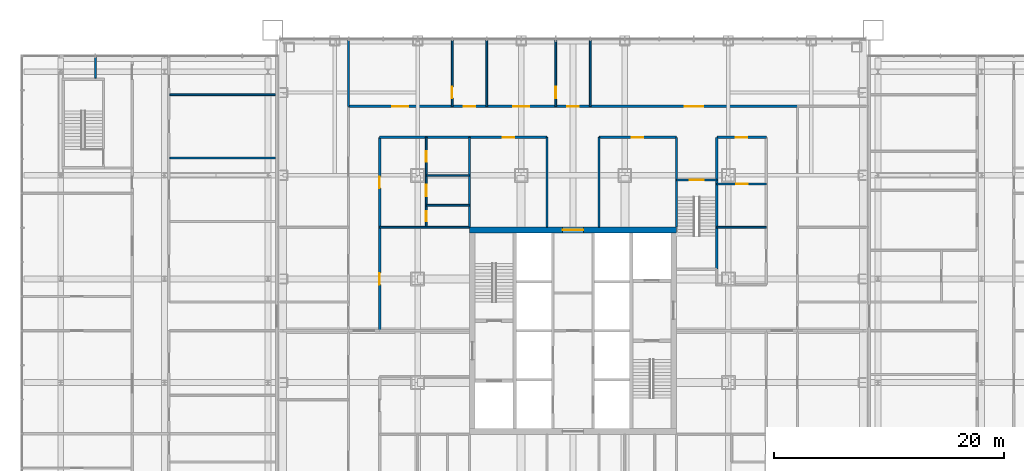
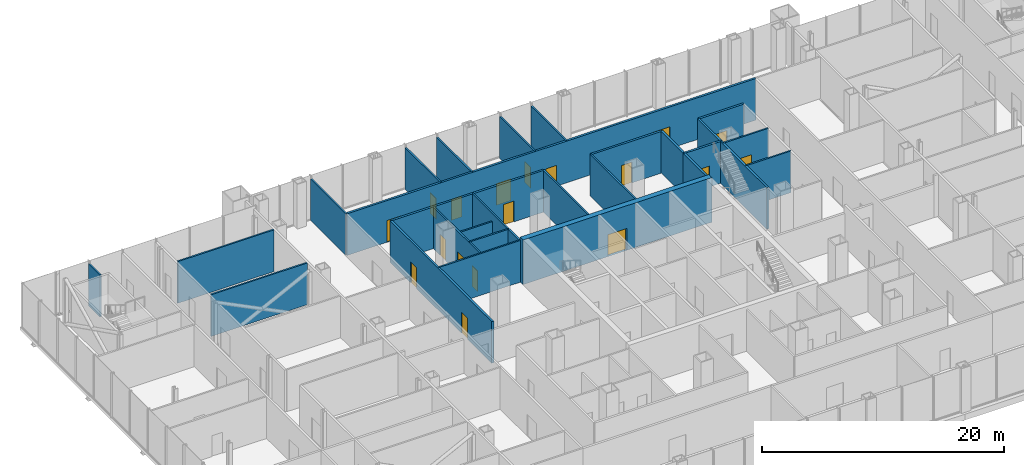
# One storey, part 18 of 25: 28 walls, 18 doors, 18 openings.
"""IFC4 building model written with IfcOpenShell, lengths in metres."""

import ifcopenshell
import ifcopenshell.guid

model = None  # the IFC model being written
_history = None  # IfcOwnerHistory: only IFC2X3 demands one
_inside = {}  # id of a spatial element -> (the spatial element, [elements in it])
_under = {}  # id of a project, library or spatial element -> (it, [spatial elements below it])
_declared = {}  # id of a project -> (the project, [libraries it declares])
_typed = {}  # id of a type object -> (the type object, [elements of that type])
_made_of = {}  # id of a material, layer set ... -> (it, [elements and type objects made of it])


def new_model(schema):
    """Start an empty IFC model of exactly this schema.

    Asked for "IFC4X3", IfcOpenShell would pick the latest addendum, in which some entities
    have other attributes; the version numbers below select the first issue.
    IFC2X3 requires an IfcOwnerHistory on every rooted entity: one is made here for all.
    """
    global model, _history
    if schema == "IFC4X3":
        model = ifcopenshell.file(schema_version=(4, 3, 0, 0))
    else:
        model = ifcopenshell.file(schema=schema)
    _inside.clear()
    _under.clear()
    _declared.clear()
    _typed.clear()
    _made_of.clear()
    _history = None
    if model.schema == "IFC2X3":
        org = make("IfcOrganization", Name="unknown")
        user = make(
            "IfcPersonAndOrganization",
            ThePerson=make("IfcPerson", FamilyName="unknown"),
            TheOrganization=org,
        )
        app = make(
            "IfcApplication",
            ApplicationDeveloper=org,
            Version="unknown",
            ApplicationFullName="unknown",
            ApplicationIdentifier="unknown",
        )
        _history = make(
            "IfcOwnerHistory",
            OwningUser=user,
            OwningApplication=app,
            ChangeAction="ADDED",
            CreationDate=0,
        )
    return model


def make(cls, **values):
    """One entity of the class cls with the attributes given. An attribute that is None is left unset."""
    return model.create_entity(
        cls, **{name: value for name, value in values.items() if value is not None}
    )


def rooted(cls, **values):
    """An entity with a GlobalId (a new one), such as an element, a storey or a relation."""
    return make(cls, GlobalId=ifcopenshell.guid.new(), OwnerHistory=_history, **values)


def si_unit(unit_type, name, prefix=None):
    """IfcSIUnit, for example si_unit("LENGTHUNIT", "METRE", prefix="MILLI")."""
    return make("IfcSIUnit", UnitType=unit_type, Prefix=prefix, Name=name)


def assignment(units):
    """IfcUnitAssignment: the units of a project."""
    return None if units is None else make("IfcUnitAssignment", Units=units)


def point(xyz):
    """IfcCartesianPoint."""
    return None if xyz is None else make("IfcCartesianPoint", Coordinates=xyz)


def direction(xyz):
    """IfcDirection."""
    return None if xyz is None else make("IfcDirection", DirectionRatios=xyz)


def frame(location, z_axis=None, x_axis=None):
    """IfcAxis2Placement3D, a coordinate frame: its origin and axes. An axis left out is left unset."""
    return make(
        "IfcAxis2Placement3D",
        Location=point(location),
        Axis=direction(z_axis),
        RefDirection=direction(x_axis),
    )


def frame_2d(location, x_axis=None):
    """IfcAxis2Placement2D, a coordinate frame in the plane: its origin and x axis."""
    return make(
        "IfcAxis2Placement2D", Location=point(location), RefDirection=direction(x_axis)
    )


def origin():
    """The frame at (0, 0, 0) with its axes left unset."""
    return frame((0.0, 0.0, 0.0))


def place(relative_to, where):
    """IfcLocalPlacement: puts the frame where relative to a parent placement (None: the world)."""
    return make(
        "IfcLocalPlacement", PlacementRelTo=relative_to, RelativePlacement=where
    )


def context(
    kind, dimensions, precision=None, world=None, true_north=None, identifier=None
):
    """IfcGeometricRepresentationContext, for example the 3D "Model" context."""
    return make(
        "IfcGeometricRepresentationContext",
        ContextIdentifier=identifier,
        ContextType=kind,
        CoordinateSpaceDimension=dimensions,
        Precision=precision,
        WorldCoordinateSystem=world,
        TrueNorth=true_north,
    )


def subcontext(parent, identifier, kind, view, scale=None):
    """IfcGeometricRepresentationSubContext, for example "Body" below "Model"."""
    return make(
        "IfcGeometricRepresentationSubContext",
        ContextIdentifier=identifier,
        ContextType=kind,
        ParentContext=parent,
        TargetScale=scale,
        TargetView=view,
    )


def project(units=None, contexts=None):
    """IfcProject with its units and contexts."""
    return rooted(
        "IfcProject",
        Name="project",
        RepresentationContexts=contexts,
        UnitsInContext=assignment(units),
    )


def spatial(cls, under=None, at=None, **own):
    """A site, building, storey or space (cls), placed at a placement, below another one or the project."""
    s = rooted(cls, ObjectPlacement=at, **own)
    if under is not None:
        _under.setdefault(under.id(), (under, []))[1].append(s)
    return s


def profile(cls, at=None, kind="AREA", **sizes):
    """A parametric profile (cls). Its sizes go by their IFC names, for example OverallWidth=200.0."""
    return make(cls, ProfileType=kind, Position=at, **sizes)


def rectangle(**sizes):
    """IfcRectangleProfileDef."""
    return profile("IfcRectangleProfileDef", **sizes)


def extrude(swept, where, along, depth):
    """IfcExtrudedAreaSolid: the profile swept, set in the frame where, extruded along a direction by depth."""
    return make(
        "IfcExtrudedAreaSolid",
        SweptArea=swept,
        Position=where,
        ExtrudedDirection=direction(along),
        Depth=depth,
    )


def shape(context_of_items, identifier, shape_type, items):
    """IfcShapeRepresentation: the items that make up one representation, for example the "Body"."""
    return make(
        "IfcShapeRepresentation",
        ContextOfItems=context_of_items,
        RepresentationIdentifier=identifier,
        RepresentationType=shape_type,
        Items=items,
    )


def material(Name=None, Category=None):
    """IfcMaterial."""
    return make("IfcMaterial", Name=Name, Category=Category)


def layer(
    of_material, thickness, ventilated=None, Name=None, Category=None, Priority=None
):
    """IfcMaterialLayer: one layer of a wall or slab, of a material (None: an air gap)."""
    return make(
        "IfcMaterialLayer",
        Material=of_material,
        LayerThickness=thickness,
        IsVentilated=ventilated,
        Name=Name,
        Category=Category,
        Priority=Priority,
    )


def layer_set(layers, Name=None):
    """IfcMaterialLayerSet."""
    return make("IfcMaterialLayerSet", MaterialLayers=layers, LayerSetName=Name)


def made_of(thing, what):
    """Note that an element or type object is made of a material, layer set ...; save() writes the relation."""
    if what is not None:
        _made_of.setdefault(what.id(), (what, []))[1].append(thing)
    return thing


def type_object(cls, material=None, **own):
    """A type object (cls), such as IfcWallType, which elements share."""
    return made_of(rooted(cls, **own), material)


def element(
    cls,
    number,
    at=None,
    inside=None,
    cuts=None,
    type_object=None,
    material=None,
    context=None,
    identifier="Body",
    shape_type=None,
    held_by="IfcProductDefinitionShape",
    body=None,
    shapes=None,
    **own,
):
    """One element of the class cls, such as IfcWall. Its Tag is "e" and its number.

    at: its placement. inside: the storey or other place that contains it. cuts: it is an
    opening in that element (IfcRelVoidsElement). A single representation is given by context,
    identifier, shape_type and body (its items); several are given by shapes. held_by: the class
    of the entity that holds the representations. save() writes the other relations.
    """
    e = rooted(cls, Tag="e%d" % number, ObjectPlacement=at, **own)
    if body is not None:
        shapes = [shape(context, identifier, shape_type, body)]
    if shapes is not None:
        e.Representation = make(held_by, Representations=shapes)
    if inside is not None:
        _inside.setdefault(inside.id(), (inside, []))[1].append(e)
    if cuts is not None:
        rooted(
            "IfcRelVoidsElement", RelatingBuildingElement=cuts, RelatedOpeningElement=e
        )
    if type_object is not None:
        _typed.setdefault(type_object.id(), (type_object, []))[1].append(e)
    return made_of(e, material)


def fill(opening, filler):
    """IfcRelFillsElement: the door or window that sits in an opening."""
    return rooted(
        "IfcRelFillsElement",
        RelatingOpeningElement=opening,
        RelatedBuildingElement=filler,
    )


def aggregate(whole, parts):
    """IfcRelAggregates: a whole, such as a stair, and the parts it consists of."""
    return rooted("IfcRelAggregates", RelatingObject=whole, RelatedObjects=parts)


def save(model, path):
    """Write the relations noted so far, then the file.

    IfcRelAggregates (storeys below a building ...), IfcRelContainedInSpatialStructure (elements
    in a storey), IfcRelDefinesByType, IfcRelAssociatesMaterial and IfcRelDeclares: one each for
    every whole, place, type object, material and project.
    """
    for whole, parts in _under.values():
        aggregate(whole, parts)
    for where, things in _inside.values():
        rooted(
            "IfcRelContainedInSpatialStructure",
            RelatedElements=things,
            RelatingStructure=where,
        )
    for kind, things in _typed.values():
        rooted("IfcRelDefinesByType", RelatedObjects=things, RelatingType=kind)
    for what, things in _made_of.values():
        rooted("IfcRelAssociatesMaterial", RelatedObjects=things, RelatingMaterial=what)
    for by, libraries in _declared.values():
        rooted("IfcRelDeclares", RelatingContext=by, RelatedDefinitions=libraries)
    model.write(path)


model = new_model("IFC4")

# Units and contexts
model_context = context("Model", 3, precision=1e-05, world=origin(), true_north=direction((0.0, 1.0)))
body_context = subcontext(model_context, "Body", "Model", "MODEL_VIEW")
ifc_project = project(units=[si_unit("LENGTHUNIT", "METRE"), si_unit("AREAUNIT", "SQUARE_METRE"), si_unit("VOLUMEUNIT", "CUBIC_METRE"), si_unit("PLANEANGLEUNIT", "RADIAN"), si_unit("MASSUNIT", "GRAM", prefix="KILO")], contexts=[model_context])

# Site, building, storey
site_placement = place(None, origin())
site = spatial("IfcSite", under=ifc_project, at=site_placement, CompositionType="ELEMENT")
building_placement = place(site_placement, origin())
building = spatial("IfcBuilding", under=site, at=building_placement, Name="Malebo Sky Hospital", CompositionType="ELEMENT")
storey_placement = place(building_placement, frame((0.0, 0.0, 16.5)))
storey = spatial("IfcBuildingStorey", under=building, at=storey_placement, Name="L03", CompositionType="ELEMENT", Elevation=16.5)

# Wall, opening, door
ifc_material_1 = material(Name="Concrete C80/95", Category="concrete")
ifc_layer_1 = layer(ifc_material_1, 0.5)
ifc_layer_set_1 = layer_set([ifc_layer_1], Name="CORE WALL 500")
wall_type_1 = type_object("IfcWallType", Name="CORE WALL 500", PredefinedType="SHEAR", material=ifc_layer_set_1)
wall_1_placement = place(storey_placement, frame((51.0, 70.75, 0.0), z_axis=(0.0, 0.0, 1.0), x_axis=(1.0, 0.0, 0.0)))
wall_1 = element("IfcWall", 1, at=wall_1_placement, inside=storey, type_object=wall_type_1, Name="Core wall N L03", PredefinedType="SHEAR", context=body_context, shape_type="SweptSolid", body=[
    extrude(rectangle(XDim=18.0, YDim=0.5, at=frame_2d((9.0, 0.0))), origin(), (0.0, 0.0, 1.0), 4.5),
])
opening_1_placement = place(wall_1_placement, frame((8.10009765625, 0.0, 0.0)))
opening_1 = element("IfcOpeningElement", 2, at=opening_1_placement, cuts=wall_1, Name="Opening D06", PredefinedType="OPENING", context=body_context, shape_type="SweptSolid", body=[
    extrude(rectangle(XDim=1.800048828125, YDim=2.199951171875, at=frame_2d((0.89990234375, 1.10009765625))), frame((0.0, 0.260009765625, 0.0), z_axis=(0.0, -1.0, 0.0), x_axis=(1.0, 0.0, 0.0)), (0.0, 0.0, 1.0), 0.52001953125),
])
ifc_material_2 = material(Name="Hardwood-faced door leaf in steel frame", Category="steel")
door_type_1 = type_object("IfcDoorType", Name="LOBBY DOOR PAIR 1800", OperationType="DOUBLE_DOOR_SINGLE_SWING", PredefinedType="DOOR", material=ifc_material_2)
door_1_placement = place(opening_1_placement, origin())
door_1 = element("IfcDoor", 3, at=door_1_placement, inside=storey, type_object=door_type_1, Name="staff rest room door north", OperationType="DOUBLE_DOOR_SINGLE_SWING", OverallHeight=2.199951171875, OverallWidth=1.800048828125, PredefinedType="DOOR", context=body_context, shape_type="SweptSolid", body=[
    extrude(rectangle(XDim=1.800048828125, YDim=2.199951171875, at=frame_2d((0.89990234375, 1.10009765625))), frame((0.0, 0.02490234375, 0.0), z_axis=(0.0, -1.0, 0.0), x_axis=(1.0, 0.0, 0.0)), (0.0, 0.0, 1.0), 0.050048828125),
])
fill(opening_1, door_1)

# Wall, openings, doors
ifc_material_3 = material(Name="Gypsum board on steel studs", Category="steel")
ifc_layer_2 = layer(ifc_material_3, 0.199951171875)
ifc_layer_set_2 = layer_set([ifc_layer_2], Name="CORRIDOR WALL 200")
wall_type_2 = type_object("IfcWallType", Name="CORRIDOR WALL 200", PredefinedType="PARTITIONING", material=ifc_layer_set_2)
wall_2_placement = place(storey_placement, frame((40.5, 81.5, 0.0), z_axis=(0.0, 0.0, 1.0), x_axis=(1.0, 0.0, 0.0)))
wall_2 = element("IfcWall", 4, at=wall_2_placement, inside=storey, type_object=wall_type_2, Name="Corridor Wall 200 NCO", PredefinedType="PARTITIONING", context=body_context, shape_type="SweptSolid", body=[
    extrude(rectangle(XDim=39.0, YDim=0.199951171875, at=frame_2d((19.5, 0.0))), origin(), (0.0, 0.0, 1.0), 4.199951171875),
])
opening_2_placement = place(wall_2_placement, frame((3.800048828125, 0.0, 0.0)))
opening_2 = element("IfcOpeningElement", 5, at=opening_2_placement, cuts=wall_2, Name="Opening D25", PredefinedType="OPENING", context=body_context, shape_type="SweptSolid", body=[
    extrude(rectangle(XDim=1.39990234375, YDim=2.199951171875, at=frame_2d((0.699951171875, 1.10009765625))), frame((0.0, 0.10986328125, 0.0), z_axis=(0.0, -1.0, 0.0), x_axis=(1.0, 0.0, 0.0)), (0.0, 0.0, 1.0), 0.219970703125),
])
opening_3_placement = place(wall_2_placement, frame((10.0, 0.0, 0.0)))
opening_3 = element("IfcOpeningElement", 6, at=opening_3_placement, cuts=wall_2, Name="Opening D03", PredefinedType="OPENING", context=body_context, shape_type="SweptSolid", body=[
    extrude(rectangle(XDim=1.0, YDim=2.10009765625, at=frame_2d((0.5, 1.050048828125))), frame((0.0, 0.10986328125, 0.0), z_axis=(0.0, -1.0, 0.0), x_axis=(1.0, 0.0, 0.0)), (0.0, 0.0, 1.0), 0.219970703125),
])
opening_4_placement = place(wall_2_placement, frame((14.300048828125, 0.0, 0.0)))
opening_4 = element("IfcOpeningElement", 7, at=opening_4_placement, cuts=wall_2, Name="Opening D25", PredefinedType="OPENING", context=body_context, shape_type="SweptSolid", body=[
    extrude(rectangle(XDim=1.39990234375, YDim=2.199951171875, at=frame_2d((0.699951171875, 1.10009765625))), frame((0.0, 0.10986328125, 0.0), z_axis=(0.0, -1.0, 0.0), x_axis=(1.0, 0.0, 0.0)), (0.0, 0.0, 1.0), 0.219970703125),
])
opening_5_placement = place(wall_2_placement, frame((19.0, 0.0, 0.0)))
opening_5 = element("IfcOpeningElement", 8, at=opening_5_placement, cuts=wall_2, Name="Opening D03", PredefinedType="OPENING", context=body_context, shape_type="SweptSolid", body=[
    extrude(rectangle(XDim=1.0, YDim=2.10009765625, at=frame_2d((0.5, 1.050048828125))), frame((0.0, 0.10986328125, 0.0), z_axis=(0.0, -1.0, 0.0), x_axis=(1.0, 0.0, 0.0)), (0.0, 0.0, 1.0), 0.219970703125),
])
opening_6_placement = place(wall_2_placement, frame((29.199951171875, 0.0, 0.0)))
opening_6 = element("IfcOpeningElement", 9, at=opening_6_placement, cuts=wall_2, Name="Opening D14", PredefinedType="OPENING", context=body_context, shape_type="SweptSolid", body=[
    extrude(rectangle(XDim=1.60009765625, YDim=2.199951171875, at=frame_2d((0.800048828125, 1.10009765625))), frame((0.0, 0.10986328125, 0.0), z_axis=(0.0, -1.0, 0.0), x_axis=(1.0, 0.0, 0.0)), (0.0, 0.0, 1.0), 0.219970703125),
])
door_type_2 = type_object("IfcDoorType", Name="BED DOOR PAIR 1400", OperationType="DOUBLE_DOOR_SINGLE_SWING", PredefinedType="DOOR", material=ifc_material_2)
door_2_placement = place(opening_2_placement, origin())
door_2 = element("IfcDoor", 10, at=door_2_placement, inside=storey, type_object=door_type_2, Name="Endoscopy room door", OperationType="DOUBLE_DOOR_SINGLE_SWING", OverallHeight=2.199951171875, OverallWidth=1.39990234375, PredefinedType="DOOR", context=body_context, shape_type="SweptSolid", body=[
    extrude(rectangle(XDim=1.39990234375, YDim=2.199951171875, at=frame_2d((0.699951171875, 1.10009765625))), frame((0.0, 0.02490234375, 0.0), z_axis=(0.0, -1.0, 0.0), x_axis=(1.0, 0.0, 0.0)), (0.0, 0.0, 1.0), 0.050048828125),
])
fill(opening_2, door_2)
door_3_placement = place(opening_4_placement, origin())
door_3 = element("IfcDoor", 11, at=door_3_placement, inside=storey, type_object=door_type_2, Name="Endoscopy room door", OperationType="DOUBLE_DOOR_SINGLE_SWING", OverallHeight=2.199951171875, OverallWidth=1.39990234375, PredefinedType="DOOR", context=body_context, shape_type="SweptSolid", body=[
    extrude(rectangle(XDim=1.39990234375, YDim=2.199951171875, at=frame_2d((0.699951171875, 1.10009765625))), frame((0.0, 0.02490234375, 0.0), z_axis=(0.0, -1.0, 0.0), x_axis=(1.0, 0.0, 0.0)), (0.0, 0.0, 1.0), 0.050048828125),
])
fill(opening_4, door_3)
door_type_3 = type_object("IfcDoorType", Name="DEPARTMENT DOOR PAIR 1600", OperationType="DOUBLE_DOOR_DOUBLE_SWING", PredefinedType="DOOR", material=ifc_material_2)
door_4_placement = place(opening_6_placement, origin())
door_4 = element("IfcDoor", 12, at=door_4_placement, inside=storey, type_object=door_type_3, Name="Endoscopy recovery door", OperationType="DOUBLE_DOOR_DOUBLE_SWING", OverallHeight=2.199951171875, OverallWidth=1.60009765625, PredefinedType="DOOR", context=body_context, shape_type="SweptSolid", body=[
    extrude(rectangle(XDim=1.60009765625, YDim=2.199951171875, at=frame_2d((0.800048828125, 1.10009765625))), frame((0.0, 0.02490234375, 0.0), z_axis=(0.0, -1.0, 0.0), x_axis=(1.0, 0.0, 0.0)), (0.0, 0.0, 1.0), 0.050048828125),
])
fill(opening_6, door_4)
door_type_4 = type_object("IfcDoorType", Name="ROOM DOOR 1000", OperationType="SINGLE_SWING_LEFT", PredefinedType="DOOR", material=ifc_material_2)
door_5_placement = place(opening_3_placement, origin())
door_5 = element("IfcDoor", 13, at=door_5_placement, inside=storey, type_object=door_type_4, Name="Endoscope decontamination room door", OperationType="SINGLE_SWING_LEFT", OverallHeight=2.10009765625, OverallWidth=1.0, PredefinedType="DOOR", context=body_context, shape_type="SweptSolid", body=[
    extrude(rectangle(XDim=1.0, YDim=2.10009765625, at=frame_2d((0.5, 1.050048828125))), frame((0.0, 0.02490234375, 0.0), z_axis=(0.0, -1.0, 0.0), x_axis=(1.0, 0.0, 0.0)), (0.0, 0.0, 1.0), 0.050048828125),
])
fill(opening_3, door_5)
door_6_placement = place(opening_5_placement, origin())
door_6 = element("IfcDoor", 14, at=door_6_placement, inside=storey, type_object=door_type_4, Name="Endoscope storage room door", OperationType="SINGLE_SWING_LEFT", OverallHeight=2.10009765625, OverallWidth=1.0, PredefinedType="DOOR", context=body_context, shape_type="SweptSolid", body=[
    extrude(rectangle(XDim=1.0, YDim=2.10009765625, at=frame_2d((0.5, 1.050048828125))), frame((0.0, 0.02490234375, 0.0), z_axis=(0.0, -1.0, 0.0), x_axis=(1.0, 0.0, 0.0)), (0.0, 0.0, 1.0), 0.050048828125),
])
fill(opening_5, door_6)

# Wall, opening, door
wall_3_placement = place(storey_placement, frame((43.199951171875, 78.800048828125, 0.0), z_axis=(0.0, 0.0, 1.0), x_axis=(1.0, 0.0, 0.0)))
wall_3 = element("IfcWall", 15, at=wall_3_placement, inside=storey, type_object=wall_type_2, Name="Corridor Wall 200 NCI1", PredefinedType="PARTITIONING", context=body_context, shape_type="SweptSolid", body=[
    extrude(rectangle(XDim=14.550048828125, YDim=0.199951171875, at=frame_2d((7.27490234375, 0.0))), origin(), (0.0, 0.0, 1.0), 4.199951171875),
])
opening_7_placement = place(wall_3_placement, frame((10.675048828125, 0.0, 0.0)))
opening_7 = element("IfcOpeningElement", 16, at=opening_7_placement, cuts=wall_3, Name="Opening D03", PredefinedType="OPENING", context=body_context, shape_type="SweptSolid", body=[
    extrude(rectangle(XDim=1.0, YDim=2.10009765625, at=frame_2d((0.5, 1.050048828125))), frame((0.0, 0.10986328125, 0.0), z_axis=(0.0, -1.0, 0.0), x_axis=(1.0, 0.0, 0.0)), (0.0, 0.0, 1.0), 0.219970703125),
])
door_7_placement = place(opening_7_placement, origin())
door_7 = element("IfcDoor", 17, at=door_7_placement, inside=storey, type_object=door_type_4, Name="Endoscopy staff base door", OperationType="SINGLE_SWING_LEFT", OverallHeight=2.10009765625, OverallWidth=1.0, PredefinedType="DOOR", context=body_context, shape_type="SweptSolid", body=[
    extrude(rectangle(XDim=1.0, YDim=2.10009765625, at=frame_2d((0.5, 1.050048828125))), frame((0.0, 0.02490234375, 0.0), z_axis=(0.0, -1.0, 0.0), x_axis=(1.0, 0.0, 0.0)), (0.0, 0.0, 1.0), 0.050048828125),
])
fill(opening_7, door_7)

wall_4_placement = place(storey_placement, frame((62.25, 78.800048828125, 0.0), z_axis=(0.0, 0.0, 1.0), x_axis=(1.0, 0.0, 0.0)))
wall_4 = element("IfcWall", 18, at=wall_4_placement, inside=storey, type_object=wall_type_2, Name="Corridor Wall 200 NCI2", PredefinedType="PARTITIONING", context=body_context, shape_type="SweptSolid", body=[
    extrude(rectangle(XDim=6.75, YDim=0.199951171875, at=frame_2d((3.375, 0.0))), origin(), (0.0, 0.0, 1.0), 4.199951171875),
])
opening_8_placement = place(wall_4_placement, frame((2.875, 0.0, 0.0)))
opening_8 = element("IfcOpeningElement", 19, at=opening_8_placement, cuts=wall_4, Name="Opening D03", PredefinedType="OPENING", context=body_context, shape_type="SweptSolid", body=[
    extrude(rectangle(XDim=1.0, YDim=2.10009765625, at=frame_2d((0.5, 1.050048828125))), frame((0.0, 0.10986328125, 0.0), z_axis=(0.0, -1.0, 0.0), x_axis=(1.0, 0.0, 0.0)), (0.0, 0.0, 1.0), 0.219970703125),
])
door_8_placement = place(opening_8_placement, origin())
door_8 = element("IfcDoor", 20, at=door_8_placement, inside=storey, type_object=door_type_4, Name="Consumables store door", OperationType="SINGLE_SWING_RIGHT", OverallHeight=2.10009765625, OverallWidth=1.0, PredefinedType="DOOR", context=body_context, shape_type="SweptSolid", body=[
    extrude(rectangle(XDim=1.0, YDim=2.10009765625, at=frame_2d((0.5, 1.050048828125))), frame((0.0, 0.02490234375, 0.0), z_axis=(0.0, -1.0, 0.0), x_axis=(1.0, 0.0, 0.0)), (0.0, 0.0, 1.0), 0.050048828125),
])
fill(opening_8, door_8)

wall_5_placement = place(storey_placement, frame((72.5, 78.800048828125, 0.0), z_axis=(0.0, 0.0, 1.0), x_axis=(1.0, 0.0, 0.0)))
wall_5 = element("IfcWall", 21, at=wall_5_placement, inside=storey, type_object=wall_type_2, Name="Corridor Wall 200 NCI2/2", PredefinedType="PARTITIONING", context=body_context, shape_type="SweptSolid", body=[
    extrude(rectangle(XDim=4.300048828125, YDim=0.199951171875, at=frame_2d((2.14990234375, 0.0))), origin(), (0.0, 0.0, 1.0), 4.199951171875),
])
opening_9_placement = place(wall_5_placement, frame((1.64990234375, 0.0, 0.0)))
opening_9 = element("IfcOpeningElement", 22, at=opening_9_placement, cuts=wall_5, Name="Opening D03", PredefinedType="OPENING", context=body_context, shape_type="SweptSolid", body=[
    extrude(rectangle(XDim=1.0, YDim=2.10009765625, at=frame_2d((0.5, 1.050048828125))), frame((0.0, 0.10986328125, 0.0), z_axis=(0.0, -1.0, 0.0), x_axis=(1.0, 0.0, 0.0)), (0.0, 0.0, 1.0), 0.219970703125),
])
door_9_placement = place(opening_9_placement, origin())
door_9 = element("IfcDoor", 23, at=door_9_placement, inside=storey, type_object=door_type_4, Name="Patient WC vestibule door", OperationType="SINGLE_SWING_LEFT", OverallHeight=2.10009765625, OverallWidth=1.0, PredefinedType="DOOR", context=body_context, shape_type="SweptSolid", body=[
    extrude(rectangle(XDim=1.0, YDim=2.10009765625, at=frame_2d((0.5, 1.050048828125))), frame((0.0, 0.02490234375, 0.0), z_axis=(0.0, -1.0, 0.0), x_axis=(1.0, 0.0, 0.0)), (0.0, 0.0, 1.0), 0.050048828125),
])
fill(opening_9, door_9)

# Wall, openings, doors
wall_6_placement = place(storey_placement, frame((43.199951171875, 62.0, 0.0), z_axis=(0.0, 0.0, 1.0), x_axis=(0.0, 1.0, 0.0)))
wall_6 = element("IfcWall", 24, at=wall_6_placement, inside=storey, type_object=wall_type_2, Name="Corridor Wall 200 WCI2", PredefinedType="PARTITIONING", context=body_context, shape_type="SweptSolid", body=[
    extrude(rectangle(XDim=16.800048828125, YDim=0.199951171875, at=frame_2d((8.39990234375, 0.0))), origin(), (0.0, 0.0, 1.0), 4.199951171875),
])
opening_10_placement = place(wall_6_placement, frame((4.0, 0.0, 0.0)))
opening_10 = element("IfcOpeningElement", 25, at=opening_10_placement, cuts=wall_6, Name="Opening D03", PredefinedType="OPENING", context=body_context, shape_type="SweptSolid", body=[
    extrude(rectangle(XDim=1.0, YDim=2.10009765625, at=frame_2d((0.5, 1.050048828125))), frame((0.0, 0.10986328125, 0.0), z_axis=(0.0, -1.0, 0.0), x_axis=(1.0, 0.0, 0.0)), (0.0, 0.0, 1.0), 0.219970703125),
])
opening_11_placement = place(wall_6_placement, frame((12.39990234375, 0.0, 0.0)))
opening_11 = element("IfcOpeningElement", 26, at=opening_11_placement, cuts=wall_6, Name="Opening D03", PredefinedType="OPENING", context=body_context, shape_type="SweptSolid", body=[
    extrude(rectangle(XDim=1.0, YDim=2.10009765625, at=frame_2d((0.5, 1.050048828125))), frame((0.0, 0.10986328125, 0.0), z_axis=(0.0, -1.0, 0.0), x_axis=(1.0, 0.0, 0.0)), (0.0, 0.0, 1.0), 0.219970703125),
])
door_10_placement = place(opening_10_placement, origin())
door_10 = element("IfcDoor", 27, at=door_10_placement, inside=storey, type_object=door_type_4, Name="Store door", OperationType="SINGLE_SWING_LEFT", OverallHeight=2.10009765625, OverallWidth=1.0, PredefinedType="DOOR", context=body_context, shape_type="SweptSolid", body=[
    extrude(rectangle(XDim=1.0, YDim=2.10009765625, at=frame_2d((0.5, 1.050048828125))), frame((0.0, 0.02490234375, 0.0), z_axis=(0.0, -1.0, 0.0), x_axis=(1.0, 0.0, 0.0)), (0.0, 0.0, 1.0), 0.050048828125),
])
fill(opening_10, door_10)
door_11_placement = place(opening_11_placement, origin())
door_11 = element("IfcDoor", 28, at=door_11_placement, inside=storey, type_object=door_type_4, Name="Staff WC vestibule door", OperationType="SINGLE_SWING_RIGHT", OverallHeight=2.10009765625, OverallWidth=1.0, PredefinedType="DOOR", context=body_context, shape_type="SweptSolid", body=[
    extrude(rectangle(XDim=1.0, YDim=2.10009765625, at=frame_2d((0.5, 1.050048828125))), frame((0.0, 0.02490234375, 0.0), z_axis=(0.0, -1.0, 0.0), x_axis=(1.0, 0.0, 0.0)), (0.0, 0.0, 1.0), 0.050048828125),
])
fill(opening_11, door_11)

# Walls
for number, where, z_axis, x_axis, name in (
    (29, (69.0, 75.10009765625, 0.0), (0.0, 0.0, 1.0), (0.0, 1.0, 0.0), "Corridor Wall 200 ST3AW"),
    (30, (72.5, 75.10009765625, 0.0), (0.0, 0.0, 1.0), (0.0, 1.0, 0.0), "Corridor Wall 200 ST3AE"),
):
    element("IfcWall", number, at=place(storey_placement, frame(where, z_axis=z_axis, x_axis=x_axis)), inside=storey, type_object=wall_type_2, Name=name, PredefinedType="PARTITIONING", context=body_context, shape_type="SweptSolid", body=[
        extrude(rectangle(XDim=3.699951171875, YDim=0.199951171875, at=frame_2d((1.85009765625, 0.0))), origin(), (0.0, 0.0, 1.0), 4.199951171875),
    ])
ifc_layer_3 = layer(ifc_material_3, 0.14990234375)
ifc_layer_set_3 = layer_set([ifc_layer_3], Name="PARTITION 150")
wall_type_3 = type_object("IfcWallType", Name="PARTITION 150", PredefinedType="PARTITIONING", material=ifc_layer_set_3)
wall_7_placement = place(storey_placement, frame((40.5, 81.5, 0.0), z_axis=(0.0, 0.0, 1.0), x_axis=(0.0, 1.0, 0.0)))
element("IfcWall", 31, at=wall_7_placement, inside=storey, type_object=wall_type_3, Name="Partition 150 NP-19.5", PredefinedType="PARTITIONING", context=body_context, shape_type="SweptSolid", body=[
    extrude(rectangle(XDim=5.75, YDim=0.14990234375, at=frame_2d((2.875, 0.0))), origin(), (0.0, 0.0, 1.0), 4.199951171875),
])

# Wall, opening, door
wall_8_placement = place(storey_placement, frame((49.5, 81.5, 0.0), z_axis=(0.0, 0.0, 1.0), x_axis=(0.0, 1.0, 0.0)))
wall_8 = element("IfcWall", 32, at=wall_8_placement, inside=storey, type_object=wall_type_3, Name="Partition 150 NP-10.5", PredefinedType="PARTITIONING", context=body_context, shape_type="SweptSolid", body=[
    extrude(rectangle(XDim=5.75, YDim=0.14990234375, at=frame_2d((2.875, 0.0))), origin(), (0.0, 0.0, 1.0), 4.199951171875),
])
opening_12_placement = place(wall_8_placement, frame((0.699951171875, 0.0, 0.0)))
opening_12 = element("IfcOpeningElement", 33, at=opening_12_placement, cuts=wall_8, Name="Opening D03", PredefinedType="OPENING", context=body_context, shape_type="SweptSolid", body=[
    extrude(rectangle(XDim=1.0, YDim=2.10009765625, at=frame_2d((0.5, 1.050048828125))), frame((0.0, 0.0849609375, 0.0), z_axis=(0.0, -1.0, 0.0), x_axis=(1.0, 0.0, 0.0)), (0.0, 0.0, 1.0), 0.169921875),
])
door_12_placement = place(opening_12_placement, origin())
door_12 = element("IfcDoor", 34, at=door_12_placement, inside=storey, type_object=door_type_4, Name="Endoscope decontamination room inner door", OperationType="SINGLE_SWING_LEFT", OverallHeight=2.10009765625, OverallWidth=1.0, PredefinedType="DOOR", context=body_context, shape_type="SweptSolid", body=[
    extrude(rectangle(XDim=1.0, YDim=2.10009765625, at=frame_2d((0.5, 1.050048828125))), frame((0.0, 0.02490234375, 0.0), z_axis=(0.0, -1.0, 0.0), x_axis=(1.0, 0.0, 0.0)), (0.0, 0.0, 1.0), 0.050048828125),
])
fill(opening_12, door_12)

# Wall
wall_9_placement = place(storey_placement, frame((52.5, 81.5, 0.0), z_axis=(0.0, 0.0, 1.0), x_axis=(0.0, 1.0, 0.0)))
element("IfcWall", 35, at=wall_9_placement, inside=storey, type_object=wall_type_3, Name="Partition 150 NP-7.5", PredefinedType="PARTITIONING", context=body_context, shape_type="SweptSolid", body=[
    extrude(rectangle(XDim=5.75, YDim=0.14990234375, at=frame_2d((2.875, 0.0))), origin(), (0.0, 0.0, 1.0), 4.199951171875),
])

# Wall, opening, door
wall_10_placement = place(storey_placement, frame((58.5, 81.5, 0.0), z_axis=(0.0, 0.0, 1.0), x_axis=(0.0, 1.0, 0.0)))
wall_10 = element("IfcWall", 36, at=wall_10_placement, inside=storey, type_object=wall_type_3, Name="Partition 150 NP-1.5", PredefinedType="PARTITIONING", context=body_context, shape_type="SweptSolid", body=[
    extrude(rectangle(XDim=5.75, YDim=0.14990234375, at=frame_2d((2.875, 0.0))), origin(), (0.0, 0.0, 1.0), 4.199951171875),
])
opening_13_placement = place(wall_10_placement, frame((0.699951171875, 0.0, 0.0)))
opening_13 = element("IfcOpeningElement", 37, at=opening_13_placement, cuts=wall_10, Name="Opening D03", PredefinedType="OPENING", context=body_context, shape_type="SweptSolid", body=[
    extrude(rectangle(XDim=1.0, YDim=2.10009765625, at=frame_2d((0.5, 1.050048828125))), frame((0.0, 0.0849609375, 0.0), z_axis=(0.0, -1.0, 0.0), x_axis=(1.0, 0.0, 0.0)), (0.0, 0.0, 1.0), 0.169921875),
])
door_13_placement = place(opening_13_placement, origin())
door_13 = element("IfcDoor", 38, at=door_13_placement, inside=storey, type_object=door_type_4, Name="Endoscope storage room inner door", OperationType="SINGLE_SWING_LEFT", OverallHeight=2.10009765625, OverallWidth=1.0, PredefinedType="DOOR", context=body_context, shape_type="SweptSolid", body=[
    extrude(rectangle(XDim=1.0, YDim=2.10009765625, at=frame_2d((0.5, 1.050048828125))), frame((0.0, 0.02490234375, 0.0), z_axis=(0.0, -1.0, 0.0), x_axis=(1.0, 0.0, 0.0)), (0.0, 0.0, 1.0), 0.050048828125),
])
fill(opening_13, door_13)

# Walls
wall_11_placement = place(storey_placement, frame((61.5, 81.5, 0.0), z_axis=(0.0, 0.0, 1.0), x_axis=(0.0, 1.0, 0.0)))
element("IfcWall", 39, at=wall_11_placement, inside=storey, type_object=wall_type_3, Name="Partition 150 NP+1.5", PredefinedType="PARTITIONING", context=body_context, shape_type="SweptSolid", body=[
    extrude(rectangle(XDim=5.75, YDim=0.14990234375, at=frame_2d((2.875, 0.0))), origin(), (0.0, 0.0, 1.0), 4.199951171875),
])
for number, where, z_axis, x_axis, name in (
    (40, (51.0, 71.0, 0.0), (0.0, 0.0, 1.0), (0.0, 1.0, 0.0), "Partition 150 NSPM"),
    (41, (57.75, 71.0, 0.0), (0.0, 0.0, 1.0), (0.0, 1.0, 0.0), "Partition 150 NSPA"),
    (42, (62.25, 71.0, 0.0), (0.0, 0.0, 1.0), (0.0, 1.0, 0.0), "Partition 150 NSPB"),
):
    element("IfcWall", number, at=place(storey_placement, frame(where, z_axis=z_axis, x_axis=x_axis)), inside=storey, type_object=wall_type_3, Name=name, PredefinedType="PARTITIONING", context=body_context, shape_type="SweptSolid", body=[
        extrude(rectangle(XDim=7.800048828125, YDim=0.14990234375, at=frame_2d((3.89990234375, 0.0))), origin(), (0.0, 0.0, 1.0), 4.199951171875),
    ])

# Wall, opening, door
wall_12_placement = place(storey_placement, frame((72.5, 74.75, 0.0), z_axis=(0.0, 0.0, 1.0), x_axis=(1.0, 0.0, 0.0)))
wall_12 = element("IfcWall", 43, at=wall_12_placement, inside=storey, type_object=wall_type_3, Name="Partition 150 NS2F", PredefinedType="PARTITIONING", context=body_context, shape_type="SweptSolid", body=[
    extrude(rectangle(XDim=4.300048828125, YDim=0.14990234375, at=frame_2d((2.14990234375, 0.0))), origin(), (0.0, 0.0, 1.0), 4.199951171875),
])
opening_14_placement = place(wall_12_placement, frame((1.699951171875, 0.0, 0.0)))
opening_14 = element("IfcOpeningElement", 44, at=opening_14_placement, cuts=wall_12, Name="Opening D03", PredefinedType="OPENING", context=body_context, shape_type="SweptSolid", body=[
    extrude(rectangle(XDim=1.0, YDim=2.10009765625, at=frame_2d((0.5, 1.050048828125))), frame((0.0, 0.0849609375, 0.0), z_axis=(0.0, -1.0, 0.0), x_axis=(1.0, 0.0, 0.0)), (0.0, 0.0, 1.0), 0.169921875),
])
door_14_placement = place(opening_14_placement, origin())
door_14 = element("IfcDoor", 45, at=door_14_placement, inside=storey, type_object=door_type_4, Name="Accessible WC door", OperationType="SINGLE_SWING_RIGHT", OverallHeight=2.10009765625, OverallWidth=1.0, PredefinedType="DOOR", context=body_context, shape_type="SweptSolid", body=[
    extrude(rectangle(XDim=1.0, YDim=2.10009765625, at=frame_2d((0.5, 1.050048828125))), frame((0.0, 0.02490234375, 0.0), z_axis=(0.0, -1.0, 0.0), x_axis=(1.0, 0.0, 0.0)), (0.0, 0.0, 1.0), 0.050048828125),
])
fill(opening_14, door_14)

# Wall
wall_13_placement = place(storey_placement, frame((51.0, 71.0, 0.0), z_axis=(0.0, 0.0, 1.0), x_axis=(-1.0, 0.0, 0.0)))
element("IfcWall", 46, at=wall_13_placement, inside=storey, type_object=wall_type_3, Name="Partition 150 WSP9", PredefinedType="PARTITIONING", context=body_context, shape_type="SweptSolid", body=[
    extrude(rectangle(XDim=7.800048828125, YDim=0.14990234375, at=frame_2d((3.89990234375, 0.0))), origin(), (0.0, 0.0, 1.0), 4.199951171875),
])

# Wall, openings, doors
wall_14_placement = place(storey_placement, frame((47.25, 71.0, 0.0), z_axis=(0.0, 0.0, 1.0), x_axis=(0.0, 1.0, 0.0)))
wall_14 = element("IfcWall", 47, at=wall_14_placement, inside=storey, type_object=wall_type_3, Name="Partition 150 WS2F", PredefinedType="PARTITIONING", context=body_context, shape_type="SweptSolid", body=[
    extrude(rectangle(XDim=7.800048828125, YDim=0.14990234375, at=frame_2d((3.89990234375, 0.0))), origin(), (0.0, 0.0, 1.0), 4.199951171875),
])
opening_15_placement = place(wall_14_placement, frame((0.5, 0.0, 0.0)))
opening_15 = element("IfcOpeningElement", 48, at=opening_15_placement, cuts=wall_14, Name="Opening D04", PredefinedType="OPENING", context=body_context, shape_type="SweptSolid", body=[
    extrude(rectangle(XDim=0.89990234375, YDim=2.10009765625, at=frame_2d((0.449951171875, 1.050048828125))), frame((0.0, 0.0849609375, 0.0), z_axis=(0.0, -1.0, 0.0), x_axis=(1.0, 0.0, 0.0)), (0.0, 0.0, 1.0), 0.169921875),
])
opening_16_placement = place(wall_14_placement, frame((2.699951171875, 0.0, 0.0)))
opening_16 = element("IfcOpeningElement", 49, at=opening_16_placement, cuts=wall_14, Name="Opening D03", PredefinedType="OPENING", context=body_context, shape_type="SweptSolid", body=[
    extrude(rectangle(XDim=1.0, YDim=2.10009765625, at=frame_2d((0.5, 1.050048828125))), frame((0.0, 0.0849609375, 0.0), z_axis=(0.0, -1.0, 0.0), x_axis=(1.0, 0.0, 0.0)), (0.0, 0.0, 1.0), 0.169921875),
])
opening_17_placement = place(wall_14_placement, frame((5.699951171875, 0.0, 0.0)))
opening_17 = element("IfcOpeningElement", 50, at=opening_17_placement, cuts=wall_14, Name="Opening D04", PredefinedType="OPENING", context=body_context, shape_type="SweptSolid", body=[
    extrude(rectangle(XDim=0.89990234375, YDim=2.10009765625, at=frame_2d((0.449951171875, 1.050048828125))), frame((0.0, 0.0849609375, 0.0), z_axis=(0.0, -1.0, 0.0), x_axis=(1.0, 0.0, 0.0)), (0.0, 0.0, 1.0), 0.169921875),
])
door_15_placement = place(opening_16_placement, origin())
door_15 = element("IfcDoor", 51, at=door_15_placement, inside=storey, type_object=door_type_4, Name="Accessible WC door", OperationType="SINGLE_SWING_LEFT", OverallHeight=2.10009765625, OverallWidth=1.0, PredefinedType="DOOR", context=body_context, shape_type="SweptSolid", body=[
    extrude(rectangle(XDim=1.0, YDim=2.10009765625, at=frame_2d((0.5, 1.050048828125))), frame((0.0, 0.02490234375, 0.0), z_axis=(0.0, -1.0, 0.0), x_axis=(1.0, 0.0, 0.0)), (0.0, 0.0, 1.0), 0.050048828125),
])
fill(opening_16, door_15)
door_type_5 = type_object("IfcDoorType", Name="ROOM DOOR 900", OperationType="SINGLE_SWING_LEFT", PredefinedType="DOOR", material=ifc_material_2)
door_16_placement = place(opening_15_placement, origin())
door_16 = element("IfcDoor", 52, at=door_16_placement, inside=storey, type_object=door_type_5, Name="Staff WC door", OperationType="SINGLE_SWING_LEFT", OverallHeight=2.10009765625, OverallWidth=0.89990234375, PredefinedType="DOOR", context=body_context, shape_type="SweptSolid", body=[
    extrude(rectangle(XDim=0.89990234375, YDim=2.10009765625, at=frame_2d((0.449951171875, 1.050048828125))), frame((0.0, 0.02490234375, 0.0), z_axis=(0.0, -1.0, 0.0), x_axis=(1.0, 0.0, 0.0)), (0.0, 0.0, 1.0), 0.050048828125),
])
fill(opening_15, door_16)
door_17_placement = place(opening_17_placement, origin())
door_17 = element("IfcDoor", 53, at=door_17_placement, inside=storey, type_object=door_type_5, Name="Staff WC door", OperationType="SINGLE_SWING_RIGHT", OverallHeight=2.10009765625, OverallWidth=0.89990234375, PredefinedType="DOOR", context=body_context, shape_type="SweptSolid", body=[
    extrude(rectangle(XDim=0.89990234375, YDim=2.10009765625, at=frame_2d((0.449951171875, 1.050048828125))), frame((0.0, 0.02490234375, 0.0), z_axis=(0.0, -1.0, 0.0), x_axis=(1.0, 0.0, 0.0)), (0.0, 0.0, 1.0), 0.050048828125),
])
fill(opening_17, door_17)

# Walls
wall_15_placement = place(storey_placement, frame((51.0, 72.89990234375, 0.0), z_axis=(0.0, 0.0, 1.0), x_axis=(-1.0, 0.0, 0.0)))
element("IfcWall", 54, at=wall_15_placement, inside=storey, type_object=wall_type_3, Name="Partition 150 WS2W1", PredefinedType="PARTITIONING", context=body_context, shape_type="SweptSolid", body=[
    extrude(rectangle(XDim=3.75, YDim=0.14990234375, at=frame_2d((1.875, 0.0))), origin(), (0.0, 0.0, 1.0), 4.199951171875),
])
wall_16_placement = place(storey_placement, frame((51.0, 75.5, 0.0), z_axis=(0.0, 0.0, 1.0), x_axis=(-1.0, 0.0, 0.0)))
element("IfcWall", 55, at=wall_16_placement, inside=storey, type_object=wall_type_3, Name="Partition 150 WS2W2", PredefinedType="PARTITIONING", context=body_context, shape_type="SweptSolid", body=[
    extrude(rectangle(XDim=3.75, YDim=0.14990234375, at=frame_2d((1.875, 0.0))), origin(), (0.0, 0.0, 1.0), 3.39990234375),
])
wall_17_placement = place(storey_placement, frame((72.5, 71.0, 0.0), z_axis=(0.0, 0.0, 1.0), x_axis=(1.0, 0.0, 0.0)))
element("IfcWall", 56, at=wall_17_placement, inside=storey, type_object=wall_type_3, Name="Partition 150 ESPM", PredefinedType="PARTITIONING", context=body_context, shape_type="SweptSolid", body=[
    extrude(rectangle(XDim=4.300048828125, YDim=0.14990234375, at=frame_2d((2.14990234375, 0.0))), origin(), (0.0, 0.0, 1.0), 4.199951171875),
])
wall_18_placement = place(storey_placement, frame((18.50390625, 83.949951171875, 0.0), z_axis=(0.0, 0.0, 1.0), x_axis=(0.0, 1.0, 0.0)))
element("IfcWall", 57, at=wall_18_placement, inside=storey, type_object=wall_type_3, Name="Partition 150 WLW", PredefinedType="PARTITIONING", context=body_context, shape_type="SweptSolid", body=[
    extrude(rectangle(XDim=1.900146484375, YDim=0.14990234375, at=frame_2d((0.9501953125, 0.0))), origin(), (0.0, 0.0, 1.0), 4.199951171875),
])
for number, where, z_axis, x_axis, name in (
    (58, (24.98193359375, 77.0, 0.0), (0.0, 0.0, 1.0), (1.0, 0.0, 0.0), "Partition 150 WIH09"),
    (59, (24.98193359375, 82.5, 0.0), (0.0, 0.0, 1.0), (1.0, 0.0, 0.0), "Partition 150 WIH10"),
):
    element("IfcWall", number, at=place(storey_placement, frame(where, z_axis=z_axis, x_axis=x_axis)), inside=storey, type_object=wall_type_3, Name=name, PredefinedType="PARTITIONING", context=body_context, shape_type="SweptSolid", body=[
        extrude(rectangle(XDim=9.16796875, YDim=0.14990234375, at=frame_2d((4.583984375, 0.0))), origin(), (0.0, 0.0, 1.0), 4.199951171875),
    ])
ifc_material_4 = material(Name="Concrete C40/50", Category="concrete")
ifc_layer_4 = layer(ifc_material_4, 0.199951171875)
ifc_layer_set_4 = layer_set([ifc_layer_4], Name="STAIR ENCLOSURE WALL 200")
wall_type_4 = type_object("IfcWallType", Name="STAIR ENCLOSURE WALL 200", PredefinedType="SOLIDWALL", material=ifc_layer_set_4)
wall_19_placement = place(storey_placement, frame((69.0, 71.0, 0.0), z_axis=(0.0, 0.0, 1.0), x_axis=(0.0, 1.0, 0.0)))
element("IfcWall", 60, at=wall_19_placement, inside=storey, type_object=wall_type_4, Name="Stair Enclosure Wall 200 ST3W", PredefinedType="SOLIDWALL", context=body_context, shape_type="SweptSolid", body=[
    extrude(rectangle(XDim=4.10009765625, YDim=0.199951171875, at=frame_2d((2.050048828125, 0.0))), origin(), (0.0, 0.0, 1.0), 4.199951171875),
])
wall_20_placement = place(storey_placement, frame((72.5, 67.35009765625, 0.0), z_axis=(0.0, 0.0, 1.0), x_axis=(0.0, 1.0, 0.0)))
element("IfcWall", 61, at=wall_20_placement, inside=storey, type_object=wall_type_4, Name="Stair Enclosure Wall 200 ST3E", PredefinedType="SOLIDWALL", context=body_context, shape_type="SweptSolid", body=[
    extrude(rectangle(XDim=7.75, YDim=0.199951171875, at=frame_2d((3.875, 0.0))), origin(), (0.0, 0.0, 1.0), 4.199951171875),
])

# Wall, opening, door
wall_21_placement = place(storey_placement, frame((69.0, 75.10009765625, 0.0), z_axis=(0.0, 0.0, 1.0), x_axis=(1.0, 0.0, 0.0)))
wall_21 = element("IfcWall", 62, at=wall_21_placement, inside=storey, type_object=wall_type_4, Name="Stair Enclosure Wall 200 ST3N", PredefinedType="SOLIDWALL", context=body_context, shape_type="SweptSolid", body=[
    extrude(rectangle(XDim=3.5, YDim=0.199951171875, at=frame_2d((1.75, 0.0))), origin(), (0.0, 0.0, 1.0), 4.199951171875),
])
opening_18_placement = place(wall_21_placement, frame((1.14990234375, 0.0, 0.0)))
opening_18 = element("IfcOpeningElement", 63, at=opening_18_placement, cuts=wall_21, Name="Opening D08", PredefinedType="OPENING", context=body_context, shape_type="SweptSolid", body=[
    extrude(rectangle(XDim=1.199951171875, YDim=2.10009765625, at=frame_2d((0.60009765625, 1.050048828125))), frame((0.0, 0.10986328125, 0.0), z_axis=(0.0, -1.0, 0.0), x_axis=(1.0, 0.0, 0.0)), (0.0, 0.0, 1.0), 0.219970703125),
])
door_type_6 = type_object("IfcDoorType", Name="STAIR DOOR 1200", OperationType="SINGLE_SWING_LEFT", PredefinedType="DOOR", material=ifc_material_2)
door_18_placement = place(opening_18_placement, origin())
door_18 = element("IfcDoor", 64, at=door_18_placement, inside=storey, type_object=door_type_6, Name="Stair S3 door", OperationType="SINGLE_SWING_LEFT", OverallHeight=2.10009765625, OverallWidth=1.199951171875, PredefinedType="DOOR", context=body_context, shape_type="SweptSolid", body=[
    extrude(rectangle(XDim=1.199951171875, YDim=2.10009765625, at=frame_2d((0.60009765625, 1.050048828125))), frame((0.0, 0.02490234375, 0.0), z_axis=(0.0, -1.0, 0.0), x_axis=(1.0, 0.0, 0.0)), (0.0, 0.0, 1.0), 0.050048828125),
])
fill(opening_18, door_18)

save(model, "model.ifc")
